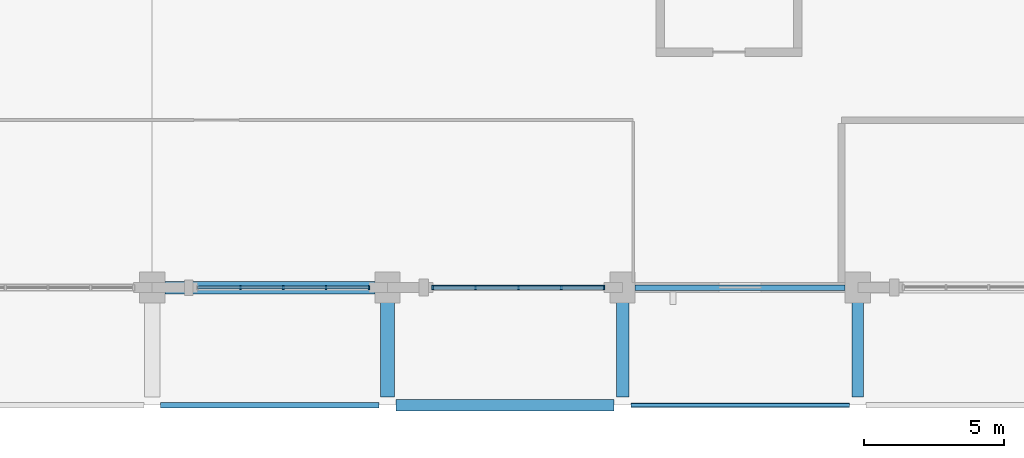
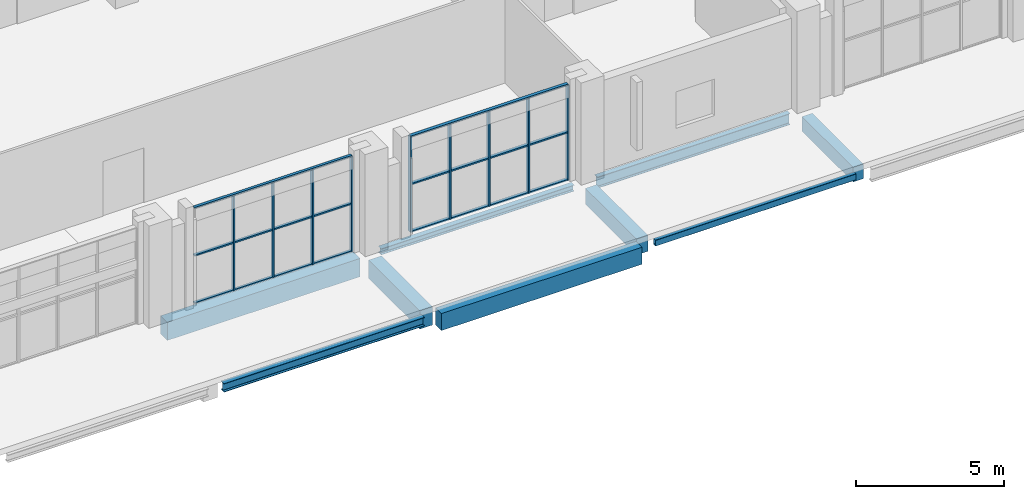
# One storey, part 34 of 59: 15 members, 9 beams, 2 elements without a shape of their own.
"""IFC4 building model written with IfcOpenShell, lengths in metres."""

from ifc_helpers import new_model, si_unit, derived_unit, direction, frame, origin, origin_2d, place, context, subcontext, project, spatial, rectangle, hollow_rectangle, i_section, extrude, material, material_profile, profile_set, type_object, element, aggregate, save


model = new_model("IFC4")

# Units and contexts
model_context = context("Model", 3, precision=1e-05, world=origin(), true_north=direction((0.0, 1.0)))
body_context = subcontext(model_context, "Body", "Model", "MODEL_VIEW")
ifc_project = project(units=[si_unit("LENGTHUNIT", "METRE"), si_unit("AREAUNIT", "SQUARE_METRE"), si_unit("VOLUMEUNIT", "CUBIC_METRE"), si_unit("PLANEANGLEUNIT", "RADIAN"), si_unit("MASSUNIT", "GRAM", prefix="KILO"), derived_unit("THERMALTRANSMITTANCEUNIT", [(si_unit("POWERUNIT", "WATT"), 1), (si_unit("LENGTHUNIT", "METRE"), -2), (si_unit("THERMODYNAMICTEMPERATUREUNIT", "KELVIN"), -1)])], contexts=[model_context])

# Site, building, storey
site_placement = place(None, origin())
site = spatial("IfcSite", under=ifc_project, at=site_placement, CompositionType="ELEMENT")
building_placement = place(site_placement, origin())
building = spatial("IfcBuilding", under=site, at=building_placement, Name="Barrovel Congress Hotel", CompositionType="ELEMENT")
storey_placement = place(building_placement, frame((0.0, 0.0, 9.89990234375)))
storey = spatial("IfcBuildingStorey", under=building, at=storey_placement, Name="L02", CompositionType="ELEMENT", Elevation=9.89990234375)

# Beams
ifc_material_1 = material(Name="Concrete C40", Category="concrete")
ifc_material_profile_1 = material_profile(ifc_material_1, rectangle(XDim=0.39990234375, YDim=0.60009765625, at=origin_2d()), Name="RC400x600")
ifc_profile_set_1 = profile_set([ifc_material_profile_1], Name="Concrete C40")
beam_type_1 = type_object("IfcBeamType", Name="BM-RC400x600", PredefinedType="BEAM", material=ifc_profile_set_1)
beam_1_placement = place(storey_placement, frame((151.199951171875, 0.300048828125, -0.559814453125), z_axis=(0.0, 1.0, 0.0), x_axis=(-1.0, 0.0, 0.0)))
element("IfcBeam", 1, at=beam_1_placement, inside=storey, type_object=beam_type_1, Name="BMY:L02:151.2:0.0-4.2", PredefinedType="BEAM", context=body_context, shape_type="SweptSolid", body=[
    extrude(rectangle(XDim=0.39990234375, YDim=0.60009765625, at=origin_2d()), origin(), (0.0, 0.0, 1.0), 3.449951171875),
])
ifc_material_profile_2 = material_profile(ifc_material_1, rectangle(XDim=0.39990234375, YDim=0.699951171875, at=origin_2d()), Name="RC400x700")
ifc_profile_set_2 = profile_set([ifc_material_profile_2], Name="Concrete C40")
beam_type_2 = type_object("IfcBeamType", Name="BM-RC400x700", PredefinedType="BEAM", material=ifc_profile_set_2)
beam_2_placement = place(storey_placement, frame((134.699951171875, 0.0, -0.60986328125), z_axis=(1.0, 0.0, 0.0), x_axis=(0.0, 1.0, 0.0)))
element("IfcBeam", 2, at=beam_2_placement, inside=storey, type_object=beam_type_2, Name="BMX:L02:0.0:134.4-142.8", PredefinedType="BEAM", context=body_context, shape_type="SweptSolid", body=[
    extrude(rectangle(XDim=0.39990234375, YDim=0.699951171875, at=origin_2d()), origin(), (0.0, 0.0, 1.0), 7.800048828125),
])
ifc_material_profile_3 = material_profile(ifc_material_1, rectangle(XDim=0.449951171875, YDim=0.64990234375, at=origin_2d()), Name="RC450x650")
ifc_profile_set_3 = profile_set([ifc_material_profile_3], Name="Concrete C40")
beam_type_3 = type_object("IfcBeamType", Name="BM-RC450x650", PredefinedType="BEAM", material=ifc_profile_set_3)
beam_3_placement = place(storey_placement, frame((142.800048828125, 0.300048828125, -0.5849609375), z_axis=(0.0, 1.0, 0.0), x_axis=(-1.0, 0.0, 0.0)))
element("IfcBeam", 3, at=beam_3_placement, inside=storey, type_object=beam_type_3, Name="BMY:L02:142.8:0.0-4.2", PredefinedType="BEAM", context=body_context, shape_type="SweptSolid", body=[
    extrude(rectangle(XDim=0.449951171875, YDim=0.64990234375, at=origin_2d()), origin(), (0.0, 0.0, 1.0), 3.449951171875),
])
ifc_material_profile_4 = material_profile(ifc_material_1, rectangle(XDim=0.449951171875, YDim=0.75, at=origin_2d()), Name="RC450x750")
ifc_profile_set_4 = profile_set([ifc_material_profile_4], Name="Concrete C40")
beam_type_4 = type_object("IfcBeamType", Name="BM-RC450x750", PredefinedType="BEAM", material=ifc_profile_set_4)
beam_4_placement = place(storey_placement, frame((126.449951171875, 4.199951171875, -0.635009765625), z_axis=(1.0, 0.0, 0.0), x_axis=(0.0, 1.0, 0.0)))
element("IfcBeam", 4, at=beam_4_placement, inside=storey, type_object=beam_type_4, Name="BMX:L02:4.2:126.0-134.4", PredefinedType="BEAM", context=body_context, shape_type="SweptSolid", body=[
    extrude(rectangle(XDim=0.449951171875, YDim=0.75, at=origin_2d()), origin(), (0.0, 0.0, 1.0), 7.5),
])
ifc_material_profile_5 = material_profile(ifc_material_1, rectangle(XDim=0.5, YDim=0.75, at=origin_2d()), Name="RC500x750")
ifc_profile_set_5 = profile_set([ifc_material_profile_5], Name="Concrete C40")
beam_type_5 = type_object("IfcBeamType", Name="BM-RC500x750", PredefinedType="BEAM", material=ifc_profile_set_5)
beam_5_placement = place(storey_placement, frame((134.39990234375, 0.300048828125, -0.635009765625), z_axis=(0.0, 1.0, 0.0), x_axis=(-1.0, 0.0, 0.0)))
element("IfcBeam", 5, at=beam_5_placement, inside=storey, type_object=beam_type_5, Name="BMY:L02:134.4:0.0-4.2", PredefinedType="BEAM", context=body_context, shape_type="SweptSolid", body=[
    extrude(rectangle(XDim=0.5, YDim=0.75, at=origin_2d()), origin(), (0.0, 0.0, 1.0), 3.449951171875),
])

# Curtain wall, members
ifc_material_2 = material(Name="Anodised Aluminium Alloy 6063-T6", Category="aluminium")
curtain_wall_type = type_object("IfcCurtainWallType", Name="CW-ST-7200x3600", PredefinedType="USERDEFINED", material=ifc_material_2)
curtain_wall_1_placement = place(storey_placement, origin())
curtain_wall_1 = element("IfcCurtainWall", 6, at=curtain_wall_1_placement, inside=storey, type_object=curtain_wall_type, Name="CW:L02:S:15", ObjectType="STICK CURTAIN WALL", PredefinedType="USERDEFINED")
ifc_material_profile_6 = material_profile(ifc_material_2, rectangle(XDim=0.06005859375, YDim=0.139892578125, at=origin_2d()), Name="AL-M60x140")
ifc_profile_set_6 = profile_set([ifc_material_profile_6], Name="Anodised Aluminium Alloy 6063-T6")
member_type_1 = type_object("IfcMemberType", Name="CWM-AL-M60x140", PredefinedType="MULLION", material=ifc_profile_set_6)
member_1_placement = place(storey_placement, frame((129.14990234375, 4.199951171875, 0.0), z_axis=(0.0, 0.0, 1.0), x_axis=(1.0, 0.0, 0.0)))
member_1 = element("IfcMember", 7, at=member_1_placement, type_object=member_type_1, Name="CW:L02:S:15:M1", PredefinedType="MULLION", context=body_context, shape_type="SweptSolid", body=[
    extrude(rectangle(XDim=0.06005859375, YDim=0.139892578125, at=origin_2d()), origin(), (0.0, 0.0, 1.0), 3.920166015625),
])
member_2_placement = place(storey_placement, frame((130.679931640625, 4.199951171875, 0.0), z_axis=(0.0, 0.0, 1.0), x_axis=(1.0, 0.0, 0.0)))
member_2 = element("IfcMember", 8, at=member_2_placement, type_object=member_type_1, Name="CW:L02:S:15:M2", PredefinedType="MULLION", context=body_context, shape_type="SweptSolid", body=[
    extrude(rectangle(XDim=0.06005859375, YDim=0.139892578125, at=origin_2d()), origin(), (0.0, 0.0, 1.0), 3.920166015625),
])
member_3_placement = place(storey_placement, frame((132.2099609375, 4.199951171875, 0.0), z_axis=(0.0, 0.0, 1.0), x_axis=(1.0, 0.0, 0.0)))
member_3 = element("IfcMember", 9, at=member_3_placement, type_object=member_type_1, Name="CW:L02:S:15:M3", PredefinedType="MULLION", context=body_context, shape_type="SweptSolid", body=[
    extrude(rectangle(XDim=0.06005859375, YDim=0.139892578125, at=origin_2d()), origin(), (0.0, 0.0, 1.0), 3.920166015625),
])
member_4_placement = place(storey_placement, frame((133.739990234375, 4.199951171875, 0.0), z_axis=(0.0, 0.0, 1.0), x_axis=(1.0, 0.0, 0.0)))
member_4 = element("IfcMember", 10, at=member_4_placement, type_object=member_type_1, Name="CW:L02:S:15:M4", PredefinedType="MULLION", context=body_context, shape_type="SweptSolid", body=[
    extrude(rectangle(XDim=0.06005859375, YDim=0.139892578125, at=origin_2d()), origin(), (0.0, 0.0, 1.0), 3.920166015625),
])

curtain_wall_2_placement = place(storey_placement, origin())
curtain_wall_2 = element("IfcCurtainWall", 11, at=curtain_wall_2_placement, inside=storey, type_object=curtain_wall_type, Name="CW:L02:S:16", ObjectType="STICK CURTAIN WALL", PredefinedType="USERDEFINED")
ifc_material_profile_7 = material_profile(ifc_material_2, rectangle(XDim=0.06005859375, YDim=0.1650390625, at=origin_2d()), Name="AL-M60x165")
ifc_profile_set_7 = profile_set([ifc_material_profile_7], Name="Anodised Aluminium Alloy 6063-T6")
member_type_2 = type_object("IfcMemberType", Name="CWM-AL-M60x165", PredefinedType="MULLION", material=ifc_profile_set_7)
member_5_placement = place(storey_placement, frame((136.02001953125, 4.199951171875, 0.0), z_axis=(0.0, 0.0, 1.0), x_axis=(1.0, 0.0, 0.0)))
member_5 = element("IfcMember", 12, at=member_5_placement, type_object=member_type_2, Name="CW:L02:S:16:M0", PredefinedType="MULLION", context=body_context, shape_type="SweptSolid", body=[
    extrude(rectangle(XDim=0.06005859375, YDim=0.1650390625, at=origin_2d()), origin(), (0.0, 0.0, 1.0), 3.920166015625),
])
member_6_placement = place(storey_placement, frame((137.550048828125, 4.199951171875, 0.0), z_axis=(0.0, 0.0, 1.0), x_axis=(1.0, 0.0, 0.0)))
member_6 = element("IfcMember", 13, at=member_6_placement, type_object=member_type_2, Name="CW:L02:S:16:M1", PredefinedType="MULLION", context=body_context, shape_type="SweptSolid", body=[
    extrude(rectangle(XDim=0.06005859375, YDim=0.1650390625, at=origin_2d()), origin(), (0.0, 0.0, 1.0), 3.920166015625),
])
member_7_placement = place(storey_placement, frame((139.080078125, 4.199951171875, 0.0), z_axis=(0.0, 0.0, 1.0), x_axis=(1.0, 0.0, 0.0)))
member_7 = element("IfcMember", 14, at=member_7_placement, type_object=member_type_2, Name="CW:L02:S:16:M2", PredefinedType="MULLION", context=body_context, shape_type="SweptSolid", body=[
    extrude(rectangle(XDim=0.06005859375, YDim=0.1650390625, at=origin_2d()), origin(), (0.0, 0.0, 1.0), 3.920166015625),
])
member_8_placement = place(storey_placement, frame((140.610107421875, 4.199951171875, 0.0), z_axis=(0.0, 0.0, 1.0), x_axis=(1.0, 0.0, 0.0)))
member_8 = element("IfcMember", 15, at=member_8_placement, type_object=member_type_2, Name="CW:L02:S:16:M3", PredefinedType="MULLION", context=body_context, shape_type="SweptSolid", body=[
    extrude(rectangle(XDim=0.06005859375, YDim=0.1650390625, at=origin_2d()), origin(), (0.0, 0.0, 1.0), 3.920166015625),
])
member_9_placement = place(storey_placement, frame((142.139892578125, 4.199951171875, 0.0), z_axis=(0.0, 0.0, 1.0), x_axis=(1.0, 0.0, 0.0)))
member_9 = element("IfcMember", 16, at=member_9_placement, type_object=member_type_2, Name="CW:L02:S:16:M4", PredefinedType="MULLION", context=body_context, shape_type="SweptSolid", body=[
    extrude(rectangle(XDim=0.06005859375, YDim=0.1650390625, at=origin_2d()), origin(), (0.0, 0.0, 1.0), 3.920166015625),
])

# Member
ifc_material_profile_8 = material_profile(ifc_material_2, rectangle(XDim=0.10498046875, YDim=0.06005859375, at=origin_2d()), Name="AL-T60x105")
ifc_profile_set_8 = profile_set([ifc_material_profile_8], Name="Anodised Aluminium Alloy 6063-T6")
member_type_3 = type_object("IfcMemberType", Name="CWT-AL-T60x105", PredefinedType="USERDEFINED", material=ifc_profile_set_8)
member_10_placement = place(storey_placement, frame((127.6201171875, 4.199951171875, 0.0), z_axis=(1.0, 0.0, 0.0), x_axis=(0.0, 1.0, 0.0)))
member_10 = element("IfcMember", 17, at=member_10_placement, type_object=member_type_3, Name="CW:L02:S:15:T0", ObjectType="TRANSOM", PredefinedType="USERDEFINED", context=body_context, shape_type="SweptSolid", body=[
    extrude(rectangle(XDim=0.10498046875, YDim=0.06005859375, at=origin_2d()), origin(), (0.0, 0.0, 1.0), 6.119873046875),
])

member_11_placement = place(storey_placement, frame((127.6201171875, 4.199951171875, 1.960205078125), z_axis=(1.0, 0.0, 0.0), x_axis=(0.0, 1.0, 0.0)))
member_11 = element("IfcMember", 18, at=member_11_placement, type_object=member_type_3, Name="CW:L02:S:15:T1", ObjectType="TRANSOM", PredefinedType="USERDEFINED", context=body_context, shape_type="SweptSolid", body=[
    extrude(rectangle(XDim=0.10498046875, YDim=0.06005859375, at=origin_2d()), origin(), (0.0, 0.0, 1.0), 6.119873046875),
])

member_12_placement = place(storey_placement, frame((127.6201171875, 4.199951171875, 3.920166015625), z_axis=(1.0, 0.0, 0.0), x_axis=(0.0, 1.0, 0.0)))
member_12 = element("IfcMember", 19, at=member_12_placement, type_object=member_type_3, Name="CW:L02:S:15:T2", ObjectType="TRANSOM", PredefinedType="USERDEFINED", context=body_context, shape_type="SweptSolid", body=[
    extrude(rectangle(XDim=0.10498046875, YDim=0.06005859375, at=origin_2d()), origin(), (0.0, 0.0, 1.0), 6.119873046875),
])

aggregate(curtain_wall_1, [member_1, member_2, member_3, member_4, member_10, member_11, member_12])

ifc_material_profile_9 = material_profile(ifc_material_2, rectangle(XDim=0.125, YDim=0.06005859375, at=origin_2d()), Name="AL-T60x125")
ifc_profile_set_9 = profile_set([ifc_material_profile_9], Name="Anodised Aluminium Alloy 6063-T6")
member_type_4 = type_object("IfcMemberType", Name="CWT-AL-T60x125", PredefinedType="USERDEFINED", material=ifc_profile_set_9)
member_13_placement = place(storey_placement, frame((136.02001953125, 4.199951171875, 0.0), z_axis=(1.0, 0.0, 0.0), x_axis=(0.0, 1.0, 0.0)))
member_13 = element("IfcMember", 20, at=member_13_placement, type_object=member_type_4, Name="CW:L02:S:16:T0", ObjectType="TRANSOM", PredefinedType="USERDEFINED", context=body_context, shape_type="SweptSolid", body=[
    extrude(rectangle(XDim=0.125, YDim=0.06005859375, at=origin_2d()), origin(), (0.0, 0.0, 1.0), 6.119873046875),
])

member_14_placement = place(storey_placement, frame((136.02001953125, 4.199951171875, 1.960205078125), z_axis=(1.0, 0.0, 0.0), x_axis=(0.0, 1.0, 0.0)))
member_14 = element("IfcMember", 21, at=member_14_placement, type_object=member_type_4, Name="CW:L02:S:16:T1", ObjectType="TRANSOM", PredefinedType="USERDEFINED", context=body_context, shape_type="SweptSolid", body=[
    extrude(rectangle(XDim=0.125, YDim=0.06005859375, at=origin_2d()), origin(), (0.0, 0.0, 1.0), 6.119873046875),
])

member_15_placement = place(storey_placement, frame((136.02001953125, 4.199951171875, 3.920166015625), z_axis=(1.0, 0.0, 0.0), x_axis=(0.0, 1.0, 0.0)))
member_15 = element("IfcMember", 22, at=member_15_placement, type_object=member_type_4, Name="CW:L02:S:16:T2", ObjectType="TRANSOM", PredefinedType="USERDEFINED", context=body_context, shape_type="SweptSolid", body=[
    extrude(rectangle(XDim=0.125, YDim=0.06005859375, at=origin_2d()), origin(), (0.0, 0.0, 1.0), 6.119873046875),
])

aggregate(curtain_wall_2, [member_5, member_6, member_7, member_8, member_9, member_13, member_14, member_15])

# Beams
ifc_material_3 = material(Name="Steel ASTM A500 Grade C", Category="steel")
ifc_material_profile_10 = material_profile(ifc_material_3, hollow_rectangle(XDim=0.15234375, YDim=0.25390625, WallThickness=0.0087890625, InnerFilletRadius=0.0087890625, OuterFilletRadius=0.017578125, at=origin_2d()), Name="HSS254x152x9.5")
ifc_profile_set_10 = profile_set([ifc_material_profile_10], Name="Steel ASTM A500 Grade C")
beam_type_6 = type_object("IfcBeamType", Name="SBM-HSS254x152x9.5", PredefinedType="SPANDREL", material=ifc_profile_set_10)
beam_6_placement = place(storey_placement, frame((143.10009765625, 0.0, -0.386962890625), z_axis=(1.0, 0.0, 0.0), x_axis=(0.0, 1.0, 0.0)))
element("IfcBeam", 23, at=beam_6_placement, inside=storey, type_object=beam_type_6, Name="BMX:L02:0.0:142.8-151.2", PredefinedType="SPANDREL", context=body_context, shape_type="SweptSolid", body=[
    extrude(hollow_rectangle(XDim=0.15234375, YDim=0.25390625, WallThickness=0.0087890625, InnerFilletRadius=0.0087890625, OuterFilletRadius=0.017578125, at=origin_2d()), origin(), (0.0, 0.0, 1.0), 7.7998046875),
])
ifc_material_4 = material(Name="Steel ASTM A992 Grade 50", Category="steel")
ifc_material_profile_11 = material_profile(ifc_material_4, i_section(OverallWidth=0.201904296875, OverallDepth=0.2470703125, WebThickness=0.00732421875, FlangeThickness=0.010986328125, FilletRadius=0.011962890625, at=origin_2d()), Name="W250x49")
ifc_profile_set_11 = profile_set([ifc_material_profile_11], Name="Steel ASTM A992 Grade 50")
beam_type_7 = type_object("IfcBeamType", Name="SBM-W250x49", PredefinedType="SPANDREL", material=ifc_profile_set_11)
beam_7_placement = place(storey_placement, frame((134.85009765625, 4.199951171875, -0.38330078125), z_axis=(1.0, 0.0, 0.0), x_axis=(0.0, 1.0, 0.0)))
element("IfcBeam", 24, at=beam_7_placement, inside=storey, type_object=beam_type_7, Name="BMX:L02:4.2:134.4-142.8", PredefinedType="SPANDREL", context=body_context, shape_type="SweptSolid", body=[
    extrude(i_section(OverallWidth=0.201904296875, OverallDepth=0.2470703125, WebThickness=0.00732421875, FlangeThickness=0.010986328125, FilletRadius=0.011962890625, at=origin_2d()), origin(), (0.0, 0.0, 1.0), 7.5),
])
ifc_material_profile_12 = material_profile(ifc_material_4, i_section(OverallWidth=0.205078125, OverallDepth=0.35400390625, WebThickness=0.009521484375, FlangeThickness=0.016845703125, FilletRadius=0.012939453125, at=origin_2d()), Name="W360x79")
ifc_profile_set_12 = profile_set([ifc_material_profile_12], Name="Steel ASTM A992 Grade 50")
beam_type_8 = type_object("IfcBeamType", Name="SBM-W360x79", PredefinedType="BEAM", material=ifc_profile_set_12)
beam_8_placement = place(storey_placement, frame((126.300048828125, 0.0, -0.43701171875), z_axis=(1.0, 0.0, 0.0), x_axis=(0.0, 1.0, 0.0)))
element("IfcBeam", 25, at=beam_8_placement, inside=storey, type_object=beam_type_8, Name="BMX:L02:0.0:126.0-134.4", PredefinedType="BEAM", context=body_context, shape_type="SweptSolid", body=[
    extrude(i_section(OverallWidth=0.205078125, OverallDepth=0.35400390625, WebThickness=0.009521484375, FlangeThickness=0.016845703125, FilletRadius=0.012939453125, at=origin_2d()), origin(), (0.0, 0.0, 1.0), 7.800048828125),
])
ifc_material_profile_13 = material_profile(ifc_material_4, i_section(OverallWidth=0.19091796875, OverallDepth=0.4599609375, WebThickness=0.010009765625, FlangeThickness=0.01611328125, FilletRadius=0.012939453125, at=origin_2d()), Name="W460x82")
ifc_profile_set_13 = profile_set([ifc_material_profile_13], Name="Steel ASTM A992 Grade 50")
beam_type_9 = type_object("IfcBeamType", Name="SBM-W460x82", PredefinedType="BEAM", material=ifc_profile_set_13)
beam_9_placement = place(storey_placement, frame((143.25, 4.199951171875, -0.489990234375), z_axis=(1.0, 0.0, 0.0), x_axis=(0.0, 1.0, 0.0)))
element("IfcBeam", 26, at=beam_9_placement, inside=storey, type_object=beam_type_9, Name="BMX:L02:4.2:142.8-151.2", PredefinedType="BEAM", context=body_context, shape_type="SweptSolid", body=[
    extrude(i_section(OverallWidth=0.19091796875, OverallDepth=0.4599609375, WebThickness=0.010009765625, FlangeThickness=0.01611328125, FilletRadius=0.012939453125, at=origin_2d()), origin(), (0.0, 0.0, 1.0), 7.5),
])

save(model, "model.ifc")
